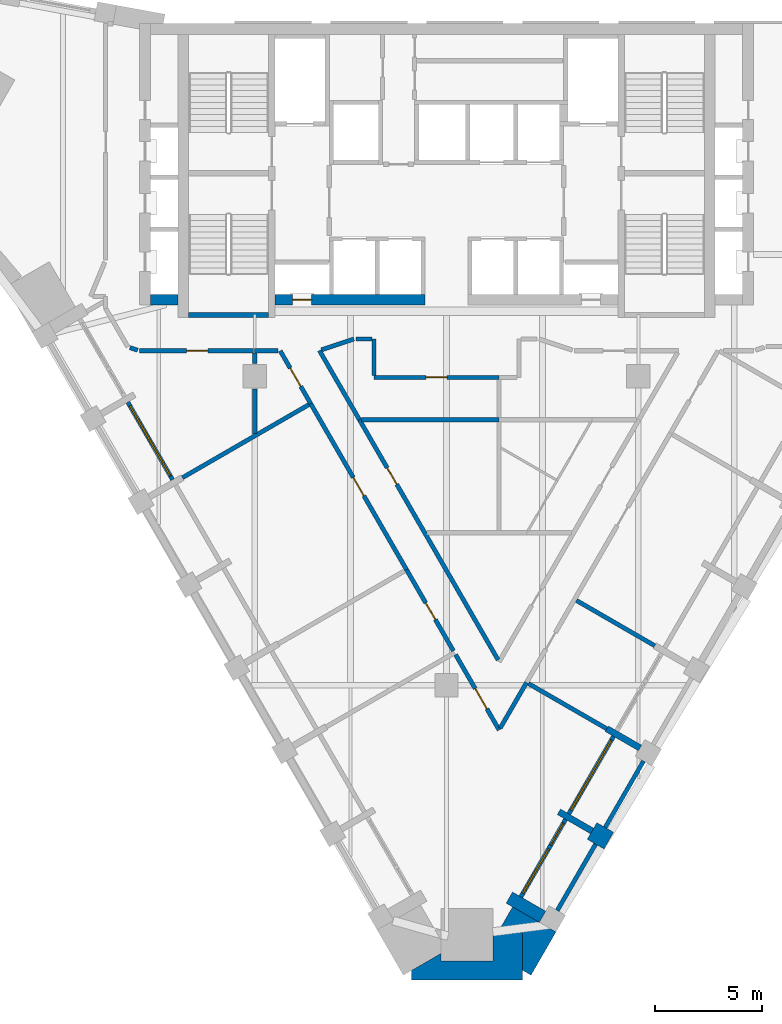
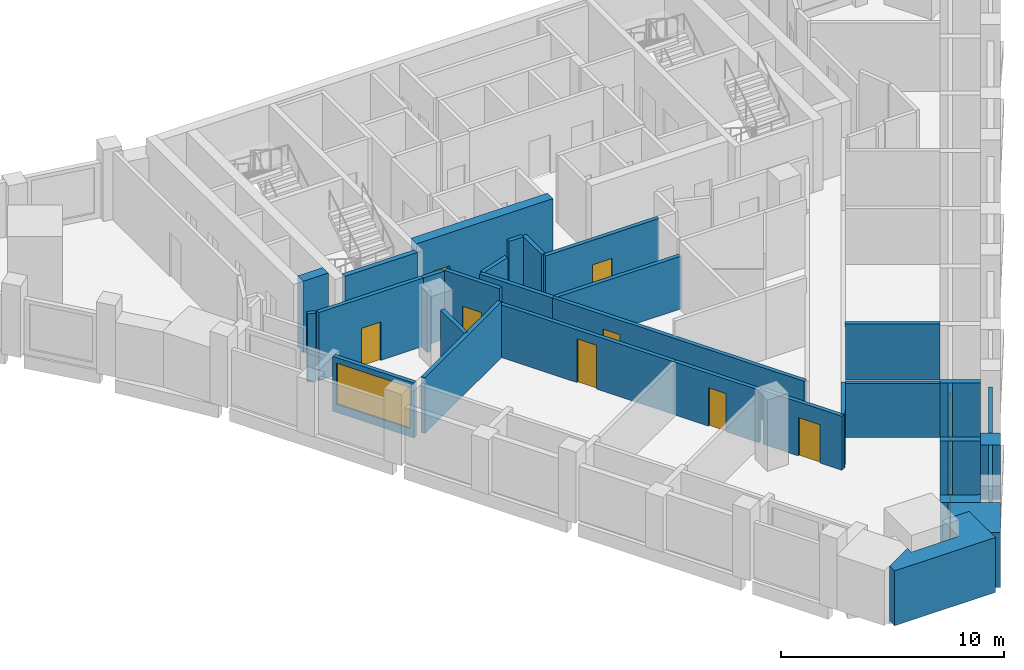
# One storey, part 3 of 9: 34 walls, 9 doors, 3 windows, 12 openings.
"""IFC4 building model written with IfcOpenShell, lengths in metres."""

from ifc_helpers import new_model, si_unit, direction, frame, frame_2d, origin, place, context, subcontext, project, spatial, polyline, rectangle, outline, extrude, material, layer, layer_set, type_object, element, fill, save


model = new_model("IFC4")

# Units and contexts
model_context = context("Model", 3, precision=1e-05, world=origin(), true_north=direction((0.0, 1.0)))
body_context = subcontext(model_context, "Body", "Model", "MODEL_VIEW")
ifc_project = project(units=[si_unit("LENGTHUNIT", "METRE"), si_unit("AREAUNIT", "SQUARE_METRE"), si_unit("VOLUMEUNIT", "CUBIC_METRE"), si_unit("PLANEANGLEUNIT", "RADIAN"), si_unit("MASSUNIT", "GRAM", prefix="KILO")], contexts=[model_context])

# Site, building, storey
site_placement = place(None, origin())
site = spatial("IfcSite", under=ifc_project, at=site_placement, CompositionType="ELEMENT")
building_placement = place(site_placement, origin())
building = spatial("IfcBuilding", under=site, at=building_placement, Name="Calabash Gate Tower", CompositionType="ELEMENT")
storey_placement = place(building_placement, frame((0.0, 0.0, 208.10009765625)))
storey = spatial("IfcBuildingStorey", under=building, at=storey_placement, Name="L49", CompositionType="ELEMENT", Elevation=208.10009765625)

# Walls
ifc_material_1 = material(Name="Terracotta brick masonry, exposed face", Category="masonry")
ifc_layer_1 = layer(ifc_material_1, 2.35009765625)
ifc_layer_set_1 = layer_set([ifc_layer_1], Name="Brick corner mass wall 2350")
wall_type_1 = type_object("IfcWallType", Name="Brick corner mass wall 2350", PredefinedType="SOLIDWALL", material=ifc_layer_set_1)
wall_1_placement = place(storey_placement, origin())
element("IfcWall", 1, at=wall_1_placement, inside=storey, type_object=wall_type_1, Name="Brick corner pier S14 2ba", PredefinedType="SOLIDWALL", context=body_context, shape_type="SweptSolid", body=[
    extrude(outline(polyline([(2.193115234375, -23.4775390625), (2.193115234375, -24.931884765625), (-0.257080078125, -24.931884765625), (-0.257080078125, -24.57958984375), (-1.63916015625, -25.377685546875), (-1.63916015625, -25.82763671875), (3.575439453125, -25.82763671875), (3.575439453125, -23.4775390625), (2.193115234375, -23.4775390625)])), origin(), (0.0, 0.0, 1.0), 3.0),
])
wall_2_placement = place(storey_placement, origin())
element("IfcWall", 2, at=wall_2_placement, inside=storey, type_object=wall_type_1, Name="Brick corner pier S14 2c", PredefinedType="SOLIDWALL", context=body_context, shape_type="SweptSolid", body=[
    extrude(outline(polyline([(5.13720703125, -23.572265625), (3.10205078125, -22.397216796875), (2.478271484375, -23.4775390625), (3.575439453125, -23.4775390625), (3.575439453125, -25.377685546875), (3.965087890625, -25.6025390625), (5.13720703125, -23.572265625)])), origin(), (0.0, 0.0, 1.0), 3.0),
])
ifc_material_2 = material(Name="Terracotta brick masonry, exposed face", Category="masonry")
ifc_layer_2 = layer(ifc_material_2, 0.89990234375)
ifc_layer_set_2 = layer_set([ifc_layer_2], Name="Brick end wall 900")
wall_type_2 = type_object("IfcWallType", Name="Brick end wall 900", PredefinedType="SOLIDWALL", material=ifc_layer_set_2)
wall_3_placement = place(storey_placement, frame((7.6123046875, -19.285400390625, 0.0), z_axis=(0.0, 0.0, 1.0), x_axis=(-0.866081705922, 0.499902469156, 0.0)))
element("IfcWall", 3, at=wall_3_placement, inside=storey, type_object=wall_type_2, Name="Brick pier S14 SE2.1", PredefinedType="SOLIDWALL", context=body_context, shape_type="SweptSolid", body=[
    extrude(rectangle(XDim=0.900146484375, YDim=0.89990234375, at=frame_2d((0.4501953125, 0.0))), origin(), (0.0, 0.0, 1.0), 3.0),
])
ifc_material_3 = material(Name="Terracotta brick masonry, exposed face", Category="masonry")
ifc_layer_3 = layer(ifc_material_3, 0.300048828125)
ifc_layer_set_3 = layer_set([ifc_layer_3], Name="Brick loggia cheek wall 300")
wall_type_3 = type_object("IfcWallType", Name="Brick loggia cheek wall 300", PredefinedType="SOLIDWALL", material=ifc_layer_set_3)
wall_4_placement = place(storey_placement, frame((4.5078125, -22.8623046875, 0.0), z_axis=(0.0, 0.0, 1.0), x_axis=(-0.866047807691, 0.499961193289, 0.0)))
element("IfcWall", 4, at=wall_4_placement, inside=storey, type_object=wall_type_3, Name="Loggia cheek S14 SE2.0", PredefinedType="SOLIDWALL", context=body_context, shape_type="SweptSolid", body=[
    extrude(rectangle(XDim=1.800048828125, YDim=0.60009765625, at=frame_2d((0.89990234375, 0.0))), origin(), (0.0, 0.0, 1.0), 3.0),
])
for number, where, z_axis, x_axis, name in (
    (5, (6.832763671875, -18.83544921875, 0.0), (0.0, 0.0, 1.0), (-0.865989075817, 0.500062916607, 0.0), "Loggia cheek S14 SE2.1"),
    (6, (9.082763671875, -14.938232421875, 0.0), (0.0, 0.0, 1.0), (-0.866047807691, 0.499961193289, 0.0), "Loggia cheek S14 SE2.2"),
):
    element("IfcWall", number, at=place(storey_placement, frame(where, z_axis=z_axis, x_axis=x_axis)), inside=storey, type_object=wall_type_3, Name=name, PredefinedType="SOLIDWALL", context=body_context, shape_type="SweptSolid", body=[
        extrude(rectangle(XDim=1.800048828125, YDim=0.300048828125, at=frame_2d((0.89990234375, 0.0))), origin(), (0.0, 0.0, 1.0), 3.0),
    ])
ifc_material_4 = material(Name="Concrete C70/85", Category="concrete")
ifc_layer_4 = layer(ifc_material_4, 0.25)
ifc_layer_set_4 = layer_set([ifc_layer_4], Name="Core wall 250 Concrete C70/85")
wall_type_4 = type_object("IfcWallType", Name="Core wall 250 Concrete C70/85", PredefinedType="SHEAR", material=ifc_layer_set_4)
wall_5_placement = place(storey_placement, frame((-12.10009765625, 5.377685546875, 0.0), z_axis=(0.0, 0.0, 1.0), x_axis=(1.0, 0.0, 0.0)))
element("IfcWall", 7, at=wall_5_placement, inside=storey, type_object=wall_type_4, Name="Core wall Z4-SSW L49", PredefinedType="SHEAR", context=body_context, shape_type="SweptSolid", body=[
    extrude(rectangle(XDim=3.75, YDim=0.25, at=frame_2d((1.875, 0.0))), origin(), (0.0, 0.0, 1.0), 3.89990234375),
])

# Wall, opening, door
ifc_material_5 = material(Name="Concrete C70/85", Category="concrete")
ifc_layer_5 = layer(ifc_material_5, 0.5)
ifc_layer_set_5 = layer_set([ifc_layer_5], Name="Core wall 500 Concrete C70/85")
wall_type_5 = type_object("IfcWallType", Name="Core wall 500 Concrete C70/85", PredefinedType="SHEAR", material=ifc_layer_set_5)
wall_6_placement = place(storey_placement, frame((-8.050048828125, 6.1025390625, 0.0), z_axis=(0.0, 0.0, 1.0), x_axis=(1.0, 0.0, 0.0)))
wall_6 = element("IfcWall", 8, at=wall_6_placement, inside=storey, type_object=wall_type_5, Name="Core wall Z4-SA L49", PredefinedType="SHEAR", context=body_context, shape_type="SweptSolid", body=[
    extrude(rectangle(XDim=7.050048828125, YDim=0.5, at=frame_2d((3.52490234375, 0.0))), origin(), (0.0, 0.0, 1.0), 3.89990234375),
])
opening_1_placement = place(wall_6_placement, frame((0.824951171875, 0.0, 0.0)))
opening_1 = element("IfcOpeningElement", 9, at=opening_1_placement, cuts=wall_6, Name="Opening O6-016", PredefinedType="OPENING", context=body_context, shape_type="SweptSolid", body=[
    extrude(rectangle(XDim=0.89990234375, YDim=2.10009765625, at=frame_2d((0.449951171875, 1.050048828125))), frame((0.0, 0.260009765625, 0.0), z_axis=(0.0, -1.0, 0.0), x_axis=(1.0, 0.0, 0.0)), (0.0, 0.0, 1.0), 0.52001953125),
])
ifc_material_6 = material(Name="Steel fire door set with fire-resisting glazing", Category="steel")
door_type_1 = type_object("IfcDoorType", Name="Fire door D07 900x2100 FD90", OperationType="NOTDEFINED", PredefinedType="DOOR", material=ifc_material_6)
door_1_placement = place(opening_1_placement, origin())
door_1 = element("IfcDoor", 10, at=door_1_placement, inside=storey, type_object=door_type_1, Name="Electrical Riser W door", OperationType="SINGLE_SWING_LEFT", OverallHeight=2.10009765625, OverallWidth=0.89990234375, PredefinedType="DOOR", context=body_context, shape_type="SweptSolid", body=[
    extrude(rectangle(XDim=0.89990234375, YDim=2.10009765625, at=frame_2d((0.449951171875, 1.050048828125))), frame((0.0, 0.02490234375, 0.0), z_axis=(0.0, -1.0, 0.0), x_axis=(1.0, 0.0, 0.0)), (0.0, 0.0, 1.0), 0.050048828125),
])
fill(opening_1, door_1)

# Wall
wall_7_placement = place(storey_placement, frame((-12.60009765625, 6.1025390625, 0.0), z_axis=(0.0, 0.0, 1.0), x_axis=(-1.0, 0.0, 0.0)))
element("IfcWall", 11, at=wall_7_placement, inside=storey, type_object=wall_type_5, Name="Core wall Z4-SW L49", PredefinedType="SHEAR", context=body_context, shape_type="SweptSolid", body=[
    extrude(rectangle(XDim=1.2998046875, YDim=0.5, at=frame_2d((0.64990234375, 0.0))), origin(), (0.0, 0.0, 1.0), 3.89990234375),
])

# Wall, opening, door
ifc_material_7 = material(Name="Gypsum board on steel studs, mineral wool", Category="steel")
ifc_layer_6 = layer(ifc_material_7, 0.199951171875)
ifc_layer_set_6 = layer_set([ifc_layer_6], Name="Partition 200 gypsum board EI 60")
wall_type_6 = type_object("IfcWallType", Name="Partition 200 gypsum board EI 60", PredefinedType="PARTITIONING", material=ifc_layer_set_6)
wall_8_placement = place(storey_placement, frame((0.42578125, -10.558349609375, 0.0), z_axis=(0.0, 0.0, 1.0), x_axis=(0.500350308999, -0.865823058301, 0.0)))
wall_8 = element("IfcWall", 12, at=wall_8_placement, inside=storey, type_object=wall_type_6, Name="Partition", PredefinedType="PARTITIONING", context=body_context, shape_type="SweptSolid", body=[
    extrude(rectangle(XDim=4.08349609375, YDim=0.199951171875, at=frame_2d((2.041748046875, 0.0))), origin(), (0.0, 0.0, 1.0), 2.949951171875),
])
opening_2_placement = place(wall_8_placement, frame((1.841552734375, 0.0, 0.0)))
opening_2 = element("IfcOpeningElement", 13, at=opening_2_placement, cuts=wall_8, Name="Opening 49-51-015", PredefinedType="OPENING", context=body_context, shape_type="SweptSolid", body=[
    extrude(rectangle(XDim=1.10009765625, YDim=2.10009765625, at=frame_2d((0.550048828125, 1.050048828125))), frame((0.0, 0.10986328125, 0.0), z_axis=(0.0, -1.0, 0.0), x_axis=(1.0, 0.0, 0.0)), (0.0, 0.0, 1.0), 0.219970703125),
])
ifc_material_8 = material(Name="Steel fire door set with fire-resisting glazing", Category="steel")
door_type_2 = type_object("IfcDoorType", Name="GD3 Suite entrance door 1100x2100", OperationType="NOTDEFINED", PredefinedType="DOOR", material=ifc_material_8)
door_2_placement = place(opening_2_placement, origin())
door_2 = element("IfcDoor", 14, at=door_2_placement, inside=storey, type_object=door_type_2, Name="Suite entrance door", OperationType="SINGLE_SWING_LEFT", OverallHeight=2.10009765625, OverallWidth=1.10009765625, PredefinedType="DOOR", context=body_context, shape_type="SweptSolid", body=[
    extrude(rectangle(XDim=1.10009765625, YDim=2.10009765625, at=frame_2d((0.550048828125, 1.050048828125))), frame((0.0, 0.02490234375, 0.0), z_axis=(0.0, -1.0, 0.0), x_axis=(1.0, 0.0, 0.0)), (0.0, 0.0, 1.0), 0.050048828125),
])
fill(opening_2, door_2)

# Walls
wall_9_placement = place(storey_placement, frame((3.843017578125, -11.915283203125, 0.0), z_axis=(0.0, 0.0, 1.0), x_axis=(0.866177933903, -0.499735716973, 0.0)))
element("IfcWall", 15, at=wall_9_placement, inside=storey, type_object=wall_type_6, Name="Partition", PredefinedType="PARTITIONING", context=body_context, shape_type="SweptSolid", body=[
    extrude(rectangle(XDim=4.249267578125, YDim=0.199951171875, at=frame_2d((2.12451171875, 0.0))), origin(), (0.0, 0.0, 1.0), 2.949951171875),
])
wall_10_placement = place(storey_placement, frame((2.51904296875, -14.00732421875, 0.0), z_axis=(0.0, 0.0, 1.0), x_axis=(0.500678517204, 0.865633307128, 0.0)))
element("IfcWall", 16, at=wall_10_placement, inside=storey, type_object=wall_type_6, Name="Partition", PredefinedType="PARTITIONING", context=body_context, shape_type="SweptSolid", body=[
    extrude(rectangle(XDim=2.47509765625, YDim=0.199951171875, at=frame_2d((1.237548828125, 0.0))), origin(), (0.0, 0.0, 1.0), 2.949951171875),
])

# Wall, opening, door
wall_11_placement = place(storey_placement, frame((-1.873291015625, -6.575927734375, 0.0), z_axis=(0.0, 0.0, 1.0), x_axis=(0.499989943423, -0.866031209874, 0.0)))
wall_11 = element("IfcWall", 17, at=wall_11_placement, inside=storey, type_object=wall_type_6, Name="Partition", PredefinedType="PARTITIONING", context=body_context, shape_type="SweptSolid", body=[
    extrude(rectangle(XDim=4.39794921875, YDim=0.199951171875, at=frame_2d((2.198974609375, 0.0))), origin(), (0.0, 0.0, 1.0), 2.884033203125),
])
opening_3_placement = place(wall_11_placement, frame((1.798095703125, 0.0, 0.0)))
opening_3 = element("IfcOpeningElement", 18, at=opening_3_placement, cuts=wall_11, Name="Opening 49-51-002", PredefinedType="OPENING", context=body_context, shape_type="SweptSolid", body=[
    extrude(rectangle(XDim=0.89990234375, YDim=2.10009765625, at=frame_2d((0.449951171875, 1.050048828125))), frame((0.0, 0.10986328125, 0.0), z_axis=(0.0, -1.0, 0.0), x_axis=(1.0, 0.0, 0.0)), (0.0, 0.0, 1.0), 0.219970703125),
])
ifc_material_9 = material(Name="Steel fire door set with fire-resisting glazing", Category="steel")
door_type_3 = type_object("IfcDoorType", Name="SD3 Store door 900x2100", OperationType="NOTDEFINED", PredefinedType="DOOR", material=ifc_material_9)
door_3_placement = place(opening_3_placement, origin())
door_3 = element("IfcDoor", 19, at=door_3_placement, inside=storey, type_object=door_type_3, Name="Store door", OperationType="SINGLE_SWING_LEFT", OverallHeight=2.10009765625, OverallWidth=0.89990234375, PredefinedType="DOOR", context=body_context, shape_type="SweptSolid", body=[
    extrude(rectangle(XDim=0.89990234375, YDim=2.10009765625, at=frame_2d((0.449951171875, 1.050048828125))), frame((0.0, 0.02490234375, 0.0), z_axis=(0.0, -1.0, 0.0), x_axis=(1.0, 0.0, 0.0)), (0.0, 0.0, 1.0), 0.050048828125),
])
fill(opening_3, door_3)

# Wall
wall_12_placement = place(storey_placement, frame((6.094482421875, -8.014404296875, 0.0), z_axis=(0.0, 0.0, 1.0), x_axis=(0.865797051121, -0.50039531, 0.0)))
element("IfcWall", 20, at=wall_12_placement, inside=storey, type_object=wall_type_6, Name="Partition", PredefinedType="PARTITIONING", context=body_context, shape_type="SweptSolid", body=[
    extrude(rectangle(XDim=4.25, YDim=0.199951171875, at=frame_2d((2.125, 0.0))), origin(), (0.0, 0.0, 1.0), 3.0517578125),
])

# Wall, opening, door
wall_13_placement = place(storey_placement, frame((-6.374267578125, 1.219970703125, 0.0), z_axis=(0.0, 0.0, 1.0), x_axis=(0.5000018851, -0.866024315419, 0.0)))
wall_13 = element("IfcWall", 21, at=wall_13_placement, inside=storey, type_object=wall_type_6, Name="Partition", PredefinedType="PARTITIONING", context=body_context, shape_type="SweptSolid", body=[
    extrude(rectangle(XDim=9.0, YDim=0.199951171875, at=frame_2d((4.5, 0.0))), origin(), (0.0, 0.0, 1.0), 2.884033203125),
])
opening_4_placement = place(wall_13_placement, frame((4.0, 0.0, 0.0)))
opening_4 = element("IfcOpeningElement", 22, at=opening_4_placement, cuts=wall_13, Name="Opening 49-51-001", PredefinedType="OPENING", context=body_context, shape_type="SweptSolid", body=[
    extrude(rectangle(XDim=1.0, YDim=2.39990234375, at=frame_2d((0.5, 1.199951171875))), frame((0.0, 0.10986328125, 0.0), z_axis=(0.0, -1.0, 0.0), x_axis=(1.0, 0.0, 0.0)), (0.0, 0.0, 1.0), 0.219970703125),
])
ifc_material_10 = material(Name="Painted timber door", Category="wood")
door_type_4 = type_object("IfcDoorType", Name="OD2 Glazed office door 1000x2400", OperationType="NOTDEFINED", PredefinedType="DOOR", material=ifc_material_10)
door_4_placement = place(opening_4_placement, origin())
door_4 = element("IfcDoor", 23, at=door_4_placement, inside=storey, type_object=door_type_4, Name="Glazed office door", OperationType="SINGLE_SWING_RIGHT", OverallHeight=2.39990234375, OverallWidth=1.0, PredefinedType="DOOR", context=body_context, shape_type="SweptSolid", body=[
    extrude(rectangle(XDim=1.0, YDim=2.39990234375, at=frame_2d((0.5, 1.199951171875))), frame((0.0, 0.02490234375, 0.0), z_axis=(0.0, -1.0, 0.0), x_axis=(1.0, 0.0, 0.0)), (0.0, 0.0, 1.0), 0.050048828125),
])
fill(opening_4, door_4)

# Wall
wall_14_placement = place(storey_placement, frame((-12.3916015625, -2.253662109375, 0.0), z_axis=(0.0, 0.0, 1.0), x_axis=(0.86583110311, 0.50033638773, 0.0)))
element("IfcWall", 24, at=wall_14_placement, inside=storey, type_object=wall_type_6, Name="Partition", PredefinedType="PARTITIONING", context=body_context, shape_type="SweptSolid", body=[
    extrude(rectangle(XDim=6.849365234375, YDim=0.199951171875, at=frame_2d((3.4248046875, 0.0))), origin(), (0.0, 0.0, 1.0), 3.0517578125),
])

# Wall, opening, door
wall_15_placement = place(storey_placement, frame((-4.085693359375, 0.464111328125, 0.0), z_axis=(0.0, 0.0, 1.0), x_axis=(0.499999074482, -0.866025938132, 0.0)))
wall_15 = element("IfcWall", 25, at=wall_15_placement, inside=storey, type_object=wall_type_6, Name="Partition", PredefinedType="PARTITIONING", context=body_context, shape_type="SweptSolid", body=[
    extrude(rectangle(XDim=13.01318359375, YDim=0.199951171875, at=frame_2d((6.506591796875, 0.0))), origin(), (0.0, 0.0, 1.0), 2.884033203125),
])
opening_5_placement = place(wall_15_placement, frame((2.607421875, 0.0, 0.0)))
opening_5 = element("IfcOpeningElement", 26, at=opening_5_placement, cuts=wall_15, Name="Opening 49-51-008", PredefinedType="OPENING", context=body_context, shape_type="SweptSolid", body=[
    extrude(rectangle(XDim=0.89990234375, YDim=2.10009765625, at=frame_2d((0.449951171875, 1.050048828125))), frame((0.0, 0.10986328125, 0.0), z_axis=(0.0, -1.0, 0.0), x_axis=(1.0, 0.0, 0.0)), (0.0, 0.0, 1.0), 0.219970703125),
])
door_5_placement = place(opening_5_placement, origin())
door_5 = element("IfcDoor", 27, at=door_5_placement, inside=storey, type_object=door_type_3, Name="Store door", OperationType="SINGLE_SWING_LEFT", OverallHeight=2.10009765625, OverallWidth=0.89990234375, PredefinedType="DOOR", context=body_context, shape_type="SweptSolid", body=[
    extrude(rectangle(XDim=0.89990234375, YDim=2.10009765625, at=frame_2d((0.449951171875, 1.050048828125))), frame((0.0, 0.02490234375, 0.0), z_axis=(0.0, -1.0, 0.0), x_axis=(1.0, 0.0, 0.0)), (0.0, 0.0, 1.0), 0.050048828125),
])
fill(opening_5, door_5)

# Wall
wall_16_placement = place(storey_placement, frame((-3.98583984375, 0.464111328125, 0.0), z_axis=(0.0, 0.0, 1.0), x_axis=(1.0, 0.0, 0.0)))
element("IfcWall", 28, at=wall_16_placement, inside=storey, type_object=wall_type_6, Name="Partition", PredefinedType="PARTITIONING", context=body_context, shape_type="SweptSolid", body=[
    extrude(rectangle(XDim=6.45166015625, YDim=0.199951171875, at=frame_2d((3.225830078125, 0.0))), origin(), (0.0, 0.0, 1.0), 2.884033203125),
])

# Wall, opening, door
wall_17_placement = place(storey_placement, frame((-7.80419921875, 3.699462890625, 0.0), z_axis=(0.0, 0.0, 1.0), x_axis=(0.500020309772, -0.866013677614, 0.0)))
wall_17 = element("IfcWall", 29, at=wall_17_placement, inside=storey, type_object=wall_type_6, Name="Partition", PredefinedType="PARTITIONING", context=body_context, shape_type="SweptSolid", body=[
    extrude(rectangle(XDim=2.86181640625, YDim=0.199951171875, at=frame_2d((1.430908203125, 0.0))), origin(), (0.0, 0.0, 1.0), 3.72998046875),
])
opening_6_placement = place(wall_17_placement, frame((0.931884765625, 0.0, 0.0)))
opening_6 = element("IfcOpeningElement", 30, at=opening_6_placement, cuts=wall_17, Name="Opening 49-51-012", PredefinedType="OPENING", context=body_context, shape_type="SweptSolid", body=[
    extrude(rectangle(XDim=1.0, YDim=2.10009765625, at=frame_2d((0.5, 1.050048828125))), frame((0.0, 0.10986328125, 0.0), z_axis=(0.0, -1.0, 0.0), x_axis=(1.0, 0.0, 0.0)), (0.0, 0.0, 1.0), 0.219970703125),
])
ifc_material_11 = material(Name="Steel fire door set with fire-resisting glazing", Category="steel")
door_type_5 = type_object("IfcDoorType", Name="LD2 Meeting room door 1000x2100", OperationType="NOTDEFINED", PredefinedType="DOOR", material=ifc_material_11)
door_6_placement = place(opening_6_placement, origin())
door_6 = element("IfcDoor", 31, at=door_6_placement, inside=storey, type_object=door_type_5, Name="Meeting room door", OperationType="SINGLE_SWING_RIGHT", OverallHeight=2.10009765625, OverallWidth=1.0, PredefinedType="DOOR", context=body_context, shape_type="SweptSolid", body=[
    extrude(rectangle(XDim=1.0, YDim=2.10009765625, at=frame_2d((0.5, 1.050048828125))), frame((0.0, 0.02490234375, 0.0), z_axis=(0.0, -1.0, 0.0), x_axis=(1.0, 0.0, 0.0)), (0.0, 0.0, 1.0), 0.050048828125),
])
fill(opening_6, door_6)

# Wall
wall_18_placement = place(storey_placement, frame((-8.999755859375, 1.89990234375, 0.0), z_axis=(0.0, 0.0, 1.0), x_axis=(0.000816802528, -0.999999666417, 0.0)))
element("IfcWall", 32, at=wall_18_placement, inside=storey, type_object=wall_type_6, Name="Partition", PredefinedType="PARTITIONING", context=body_context, shape_type="SweptSolid", body=[
    extrude(rectangle(XDim=2.09228515625, YDim=0.199951171875, at=frame_2d((1.046142578125, 0.0))), origin(), (0.0, 0.0, 1.0), 3.0517578125),
])

# Wall, opening, door
wall_19_placement = place(storey_placement, frame((-3.400146484375, 2.452392578125, 0.0), z_axis=(0.0, 0.0, 1.0), x_axis=(0.999999957561, -0.000291338898, 0.0)))
wall_19 = element("IfcWall", 33, at=wall_19_placement, inside=storey, type_object=wall_type_6, Name="Partition", PredefinedType="PARTITIONING", context=body_context, shape_type="SweptSolid", body=[
    extrude(rectangle(XDim=5.865966796875, YDim=0.199951171875, at=frame_2d((2.93310546875, 0.0))), origin(), (0.0, 0.0, 1.0), 3.72998046875),
])
opening_7_placement = place(wall_19_placement, frame((2.432861328125, 0.0, 0.0)))
opening_7 = element("IfcOpeningElement", 34, at=opening_7_placement, cuts=wall_19, Name="Opening 49-51-006", PredefinedType="OPENING", context=body_context, shape_type="SweptSolid", body=[
    extrude(rectangle(XDim=1.0, YDim=2.39990234375, at=frame_2d((0.5, 1.199951171875))), frame((0.0, 0.10986328125, 0.0), z_axis=(0.0, -1.0, 0.0), x_axis=(1.0, 0.0, 0.0)), (0.0, 0.0, 1.0), 0.219970703125),
])
door_7_placement = place(opening_7_placement, origin())
door_7 = element("IfcDoor", 35, at=door_7_placement, inside=storey, type_object=door_type_4, Name="Glazed office door", OperationType="SINGLE_SWING_RIGHT", OverallHeight=2.39990234375, OverallWidth=1.0, PredefinedType="DOOR", context=body_context, shape_type="SweptSolid", body=[
    extrude(rectangle(XDim=1.0, YDim=2.39990234375, at=frame_2d((0.5, 1.199951171875))), frame((0.0, 0.02490234375, 0.0), z_axis=(0.0, -1.0, 0.0), x_axis=(1.0, 0.0, 0.0)), (0.0, 0.0, 1.0), 0.050048828125),
])
fill(opening_7, door_7)

# Walls
wall_20_placement = place(storey_placement, frame((-3.402099609375, 4.25048828125, 0.0), z_axis=(0.0, 0.0, 1.0), x_axis=(0.001150250857, -0.999999338461, 0.0)))
element("IfcWall", 36, at=wall_20_placement, inside=storey, type_object=wall_type_6, Name="Partition", PredefinedType="PARTITIONING", context=body_context, shape_type="SweptSolid", body=[
    extrude(rectangle(XDim=1.697998046875, YDim=0.199951171875, at=frame_2d((0.84912109375, 0.0))), origin(), (0.0, 0.0, 1.0), 3.72998046875),
])
wall_21_placement = place(storey_placement, frame((-8.999755859375, 3.10009765625, 0.0), z_axis=(0.0, 0.0, 1.0), x_axis=(0.00293253871, 0.999995700099, 0.0)))
element("IfcWall", 37, at=wall_21_placement, inside=storey, type_object=wall_type_6, Name="Partition", PredefinedType="PARTITIONING", context=body_context, shape_type="SweptSolid", body=[
    extrude(rectangle(XDim=0.49951171875, YDim=0.199951171875, at=frame_2d((0.249755859375, 0.0))), origin(), (0.0, 0.0, 1.0), 3.33154296875),
])

# Wall, opening, door
wall_22_placement = place(storey_placement, frame((-14.400146484375, 3.699462890625, 0.0), z_axis=(0.0, 0.0, 1.0), x_axis=(0.999999963209, -0.000271259993, 0.0)))
wall_22 = element("IfcWall", 38, at=wall_22_placement, inside=storey, type_object=wall_type_6, Name="Partition", PredefinedType="PARTITIONING", context=body_context, shape_type="SweptSolid", body=[
    extrude(rectangle(XDim=5.400146484375, YDim=0.199951171875, at=frame_2d((2.7001953125, 0.0))), origin(), (0.0, 0.0, 1.0), 3.72998046875),
])
opening_8_placement = place(wall_22_placement, frame((2.201171875, 0.0, 0.0)))
opening_8 = element("IfcOpeningElement", 39, at=opening_8_placement, cuts=wall_22, Name="Opening 49-51-011", PredefinedType="OPENING", context=body_context, shape_type="SweptSolid", body=[
    extrude(rectangle(XDim=1.0, YDim=2.10009765625, at=frame_2d((0.5, 1.050048828125))), frame((0.0, 0.10986328125, 0.0), z_axis=(0.0, -1.0, 0.0), x_axis=(1.0, 0.0, 0.0)), (0.0, 0.0, 1.0), 0.219970703125),
])
door_8_placement = place(opening_8_placement, origin())
door_8 = element("IfcDoor", 40, at=door_8_placement, inside=storey, type_object=door_type_5, Name="Meeting room door", OperationType="SINGLE_SWING_LEFT", OverallHeight=2.10009765625, OverallWidth=1.0, PredefinedType="DOOR", context=body_context, shape_type="SweptSolid", body=[
    extrude(rectangle(XDim=1.0, YDim=2.10009765625, at=frame_2d((0.5, 1.050048828125))), frame((0.0, 0.02490234375, 0.0), z_axis=(0.0, -1.0, 0.0), x_axis=(1.0, 0.0, 0.0)), (0.0, 0.0, 1.0), 0.050048828125),
])
fill(opening_8, door_8)

# Walls
wall_23_placement = place(storey_placement, frame((-8.999755859375, 3.697998046875, 0.0), z_axis=(0.0, 0.0, 1.0), x_axis=(0.999999105954, 0.001337195149, 0.0)))
element("IfcWall", 41, at=wall_23_placement, inside=storey, type_object=wall_type_6, Name="Partition", PredefinedType="PARTITIONING", context=body_context, shape_type="SweptSolid", body=[
    extrude(rectangle(XDim=1.095458984375, YDim=0.199951171875, at=frame_2d((0.5478515625, 0.0))), origin(), (0.0, 0.0, 1.0), 3.72998046875),
])
wall_24_placement = place(storey_placement, frame((-5.963134765625, 3.712158203125, 0.0), z_axis=(0.0, 0.0, 1.0), x_axis=(0.500417539209, -0.865784203166, 0.0)))
element("IfcWall", 42, at=wall_24_placement, inside=storey, type_object=wall_type_6, Name="Partition", PredefinedType="PARTITIONING", context=body_context, shape_type="SweptSolid", body=[
    extrude(rectangle(XDim=3.749267578125, YDim=0.199951171875, at=frame_2d((1.87451171875, 0.0))), origin(), (0.0, 0.0, 1.0), 2.884033203125),
])
wall_25_placement = place(storey_placement, frame((-14.859619140625, 3.852783203125, 0.0), z_axis=(0.0, 0.0, 1.0), x_axis=(0.948619741075, -0.316418373111, 0.0)))
element("IfcWall", 43, at=wall_25_placement, inside=storey, type_object=wall_type_6, Name="Partition", PredefinedType="PARTITIONING", context=body_context, shape_type="SweptSolid", body=[
    extrude(rectangle(XDim=0.38427734375, YDim=0.199951171875, at=frame_2d((0.192138671875, 0.0))), origin(), (0.0, 0.0, 1.0), 3.72998046875),
])
wall_26_placement = place(storey_placement, frame((-5.8681640625, 3.74365234375, 0.0), z_axis=(0.0, 0.0, 1.0), x_axis=(0.948652936785, 0.316318835242, 0.0)))
element("IfcWall", 44, at=wall_26_placement, inside=storey, type_object=wall_type_6, Name="Partition", PredefinedType="PARTITIONING", context=body_context, shape_type="SweptSolid", body=[
    extrude(rectangle(XDim=1.6083984375, YDim=0.199951171875, at=frame_2d((0.80419921875, 0.0))), origin(), (0.0, 0.0, 1.0), 2.884033203125),
])
wall_27_placement = place(storey_placement, frame((-4.2421875, 4.252197265625, 0.0), z_axis=(0.0, 0.0, 1.0), x_axis=(0.999998041999, -0.001978887946, 0.0)))
element("IfcWall", 45, at=wall_27_placement, inside=storey, type_object=wall_type_6, Name="Partition", PredefinedType="PARTITIONING", context=body_context, shape_type="SweptSolid", body=[
    extrude(rectangle(XDim=0.740234375, YDim=0.199951171875, at=frame_2d((0.3701171875, 0.0))), origin(), (0.0, 0.0, 1.0), 3.72998046875),
])
ifc_material_12 = material(Name="Terracotta brick masonry, perforated", Category="masonry")
ifc_layer_7 = layer(ifc_material_12, 0.199951171875)
ifc_layer_set_7 = layer_set([ifc_layer_7], Name="Terracotta jaali screen B")
wall_type_7 = type_object("IfcWallType", Name="Terracotta jaali screen B", PredefinedType="SOLIDWALL", material=ifc_layer_set_7)
wall_28_placement = place(storey_placement, origin())
element("IfcWall", 46, at=wall_28_placement, inside=storey, type_object=wall_type_7, Name="SCREEN B S14 SE2.1", PredefinedType="SOLIDWALL", context=body_context, shape_type="SweptSolid", body=[
    extrude(outline(polyline([(6.910888671875, -19.400146484375), (5.111328125, -22.517333984375), (5.284423828125, -22.6171875), (7.084228515625, -19.5), (6.910888671875, -19.400146484375)])), origin(), (0.0, 0.0, 1.0), 3.0),
])
wall_29_placement = place(storey_placement, frame((7.447509765625, -18.670654296875, 0.0), z_axis=(0.0, 0.0, 1.0), x_axis=(0.500012057535, 0.866018442252, 0.0)))
element("IfcWall", 47, at=wall_29_placement, inside=storey, type_object=wall_type_7, Name="SCREEN B S14 SE2.2", PredefinedType="SOLIDWALL", context=body_context, shape_type="SweptSolid", body=[
    extrude(rectangle(XDim=3.60009765625, YDim=0.199951171875, at=frame_2d((1.800048828125, 0.0))), origin(), (0.0, 0.0, 1.0), 3.0),
])

# Wall, opening, window
ifc_material_13 = material(Name="Aluminium framed window wall with insulated spandrel", Category="aluminium")
ifc_layer_8 = layer(ifc_material_13, 0.199951171875)
ifc_layer_set_8 = layer_set([ifc_layer_8], Name="Window wall 200")
wall_type_8 = type_object("IfcWallType", Name="Window wall 200", PredefinedType="ELEMENTEDWALL", material=ifc_layer_set_8)
wall_30_placement = place(storey_placement, frame((-14.956298828125, 1.2880859375, 0.0), z_axis=(0.0, 0.0, 1.0), x_axis=(0.500027713859, -0.866009402589, 0.0)))
wall_30 = element("IfcWall", 48, at=wall_30_placement, inside=storey, type_object=wall_type_8, Name="Window wall S14 SW0.2", PredefinedType="ELEMENTEDWALL", context=body_context, shape_type="SweptSolid", body=[
    extrude(rectangle(XDim=4.199951171875, YDim=0.199951171875, at=frame_2d((2.10009765625, 0.0))), origin(), (0.0, 0.0, 1.0), 3.0),
])
opening_9_placement = place(wall_30_placement, frame((0.199951171875, 0.0, 0.449951171875)))
opening_9 = element("IfcOpeningElement", 49, at=opening_9_placement, cuts=wall_30, Name="Opening OW2", PredefinedType="OPENING", context=body_context, shape_type="SweptSolid", body=[
    extrude(rectangle(XDim=3.800048828125, YDim=2.25, at=frame_2d((1.89990234375, 1.125))), frame((0.0, 0.10986328125, 0.0), z_axis=(0.0, -1.0, 0.0), x_axis=(1.0, 0.0, 0.0)), (0.0, 0.0, 1.0), 0.219970703125),
])
ifc_material_14 = material(Name="Anodised aluminium frame, bronze finish, impact-rated laminated clear glazing", Category="aluminium")
window_type_1 = type_object("IfcWindowType", Name="Window OW2 3800x2250", PartitioningType="TRIPLE_PANEL_VERTICAL", PredefinedType="WINDOW", material=ifc_material_14)
window_1_placement = place(opening_9_placement, origin())
window_1 = element("IfcWindow", 50, at=window_1_placement, inside=storey, type_object=window_type_1, Name="Window OW2 S14 SW0.2", OverallHeight=2.25, OverallWidth=3.800048828125, PartitioningType="SINGLE_PANEL", PredefinedType="WINDOW", context=body_context, shape_type="SweptSolid", body=[
    extrude(rectangle(XDim=3.800048828125, YDim=2.25, at=frame_2d((1.89990234375, 1.125))), frame((0.0, 0.030029296875, 0.0), z_axis=(0.0, -1.0, 0.0), x_axis=(1.0, 0.0, 0.0)), (0.0, 0.0, 1.0), 0.06005859375),
])
fill(opening_9, window_1)

# Wall, openings, door, window
wall_31_placement = place(storey_placement, frame((3.48876953125, -21.927490234375, 0.0), z_axis=(0.0, 0.0, 1.0), x_axis=(0.500027713859, 0.866009402589, 0.0)))
wall_31 = element("IfcWall", 51, at=wall_31_placement, inside=storey, type_object=wall_type_8, Name="Window wall S14 SE2.1", PredefinedType="ELEMENTEDWALL", context=body_context, shape_type="SweptSolid", body=[
    extrude(rectangle(XDim=4.199951171875, YDim=0.199951171875, at=frame_2d((2.10009765625, 0.0))), origin(), (0.0, 0.0, 1.0), 3.0),
])
opening_10_placement = place(wall_31_placement, frame((0.199951171875, 0.0, 0.449951171875)))
opening_10 = element("IfcOpeningElement", 52, at=opening_10_placement, cuts=wall_31, Name="Opening OW1", PredefinedType="OPENING", context=body_context, shape_type="SweptSolid", body=[
    extrude(rectangle(XDim=2.39990234375, YDim=2.25, at=frame_2d((1.199951171875, 1.125))), frame((0.0, 0.10986328125, 0.0), z_axis=(0.0, -1.0, 0.0), x_axis=(1.0, 0.0, 0.0)), (0.0, 0.0, 1.0), 0.219970703125),
])
opening_11_placement = place(wall_31_placement, frame((2.800048828125, 0.0, 0.0)))
opening_11 = element("IfcOpeningElement", 53, at=opening_11_placement, cuts=wall_31, Name="Opening O6-022", PredefinedType="OPENING", context=body_context, shape_type="SweptSolid", body=[
    extrude(rectangle(XDim=1.199951171875, YDim=2.699951171875, at=frame_2d((0.60009765625, 1.35009765625))), frame((0.0, 0.10986328125, 0.0), z_axis=(0.0, -1.0, 0.0), x_axis=(1.0, 0.0, 0.0)), (0.0, 0.0, 1.0), 0.219970703125),
])
ifc_material_15 = material(Name="Anodised aluminium frame, bronze finish, impact-rated laminated clear glazing", Category="aluminium")
door_type_6 = type_object("IfcDoorType", Name="Loggia door DO1 1200x2700", OperationType="SLIDING_TO_LEFT", PredefinedType="DOOR", material=ifc_material_15)
door_9_placement = place(opening_11_placement, origin())
door_9 = element("IfcDoor", 54, at=door_9_placement, inside=storey, type_object=door_type_6, Name="Loggia door S14 SE2.1", OperationType="SINGLE_SWING_LEFT", OverallHeight=2.699951171875, OverallWidth=1.199951171875, PredefinedType="DOOR", context=body_context, shape_type="SweptSolid", body=[
    extrude(rectangle(XDim=1.199951171875, YDim=2.699951171875, at=frame_2d((0.60009765625, 1.35009765625))), frame((0.0, 0.02490234375, 0.0), z_axis=(0.0, -1.0, 0.0), x_axis=(1.0, 0.0, 0.0)), (0.0, 0.0, 1.0), 0.050048828125),
])
fill(opening_11, door_9)
ifc_material_16 = material(Name="Anodised aluminium frame, bronze finish, impact-rated laminated clear glazing", Category="aluminium")
window_type_2 = type_object("IfcWindowType", Name="Window OW1 2400x2250", PartitioningType="DOUBLE_PANEL_VERTICAL", PredefinedType="WINDOW", material=ifc_material_16)
window_2_placement = place(opening_10_placement, origin())
window_2 = element("IfcWindow", 55, at=window_2_placement, inside=storey, type_object=window_type_2, Name="Window OW1 S14 SE2.1", OverallHeight=2.25, OverallWidth=2.39990234375, PartitioningType="SINGLE_PANEL", PredefinedType="WINDOW", context=body_context, shape_type="SweptSolid", body=[
    extrude(rectangle(XDim=2.39990234375, YDim=2.25, at=frame_2d((1.199951171875, 1.125))), frame((0.0, 0.030029296875, 0.0), z_axis=(0.0, -1.0, 0.0), x_axis=(1.0, 0.0, 0.0)), (0.0, 0.0, 1.0), 0.06005859375),
])
fill(opening_10, window_2)

# Wall, opening, window
wall_32_placement = place(storey_placement, frame((5.73876953125, -18.030517578125, 0.0), z_axis=(0.0, 0.0, 1.0), x_axis=(0.500002543286, 0.866023935413, 0.0)))
wall_32 = element("IfcWall", 56, at=wall_32_placement, inside=storey, type_object=wall_type_8, Name="Window wall S14 SE2.2", PredefinedType="ELEMENTEDWALL", context=body_context, shape_type="SweptSolid", body=[
    extrude(rectangle(XDim=4.2001953125, YDim=0.199951171875, at=frame_2d((2.10009765625, 0.0))), origin(), (0.0, 0.0, 1.0), 3.0),
])
opening_12_placement = place(wall_32_placement, frame((0.199951171875, 0.0, 0.449951171875)))
opening_12 = element("IfcOpeningElement", 57, at=opening_12_placement, cuts=wall_32, Name="Opening OW2", PredefinedType="OPENING", context=body_context, shape_type="SweptSolid", body=[
    extrude(rectangle(XDim=3.800048828125, YDim=2.25, at=frame_2d((1.89990234375, 1.125))), frame((0.0, 0.10986328125, 0.0), z_axis=(0.0, -1.0, 0.0), x_axis=(1.0, 0.0, 0.0)), (0.0, 0.0, 1.0), 0.219970703125),
])
window_3_placement = place(opening_12_placement, origin())
window_3 = element("IfcWindow", 58, at=window_3_placement, inside=storey, type_object=window_type_1, Name="Window OW2 S14 SE2.2", OverallHeight=2.25, OverallWidth=3.800048828125, PartitioningType="SINGLE_PANEL", PredefinedType="WINDOW", context=body_context, shape_type="SweptSolid", body=[
    extrude(rectangle(XDim=3.800048828125, YDim=2.25, at=frame_2d((1.89990234375, 1.125))), frame((0.0, 0.030029296875, 0.0), z_axis=(0.0, -1.0, 0.0), x_axis=(1.0, 0.0, 0.0)), (0.0, 0.0, 1.0), 0.06005859375),
])
fill(opening_12, window_3)

save(model, "model.ifc")
